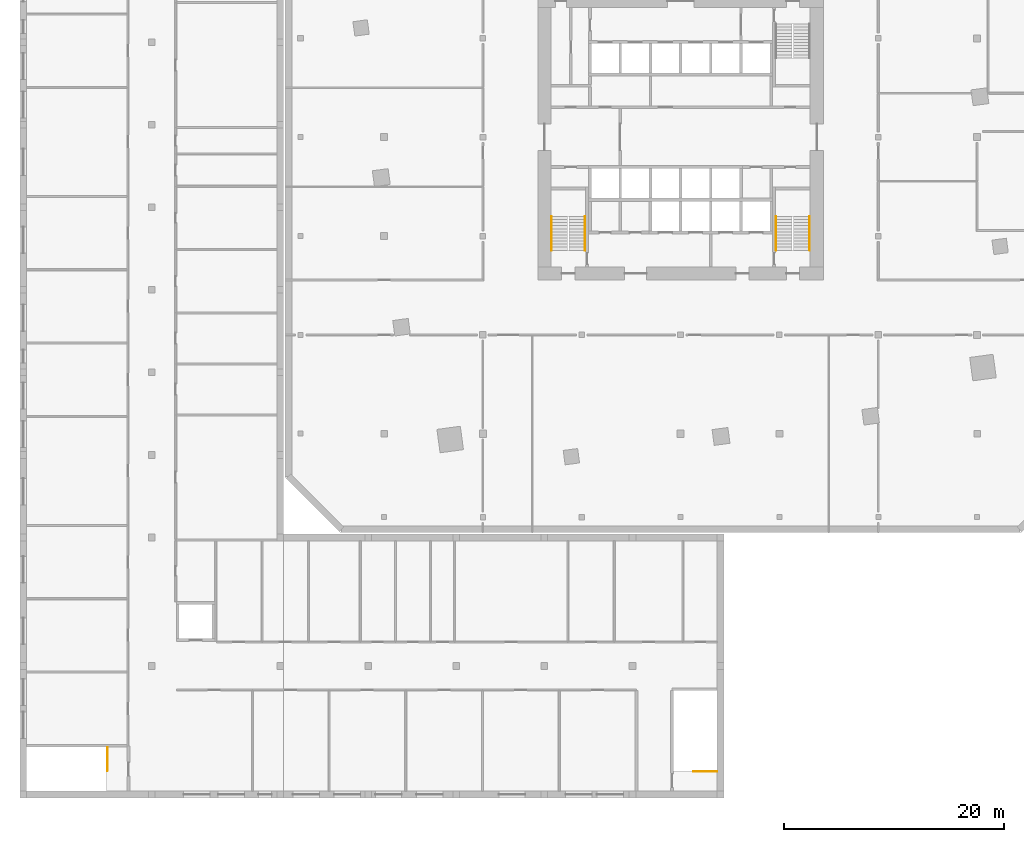
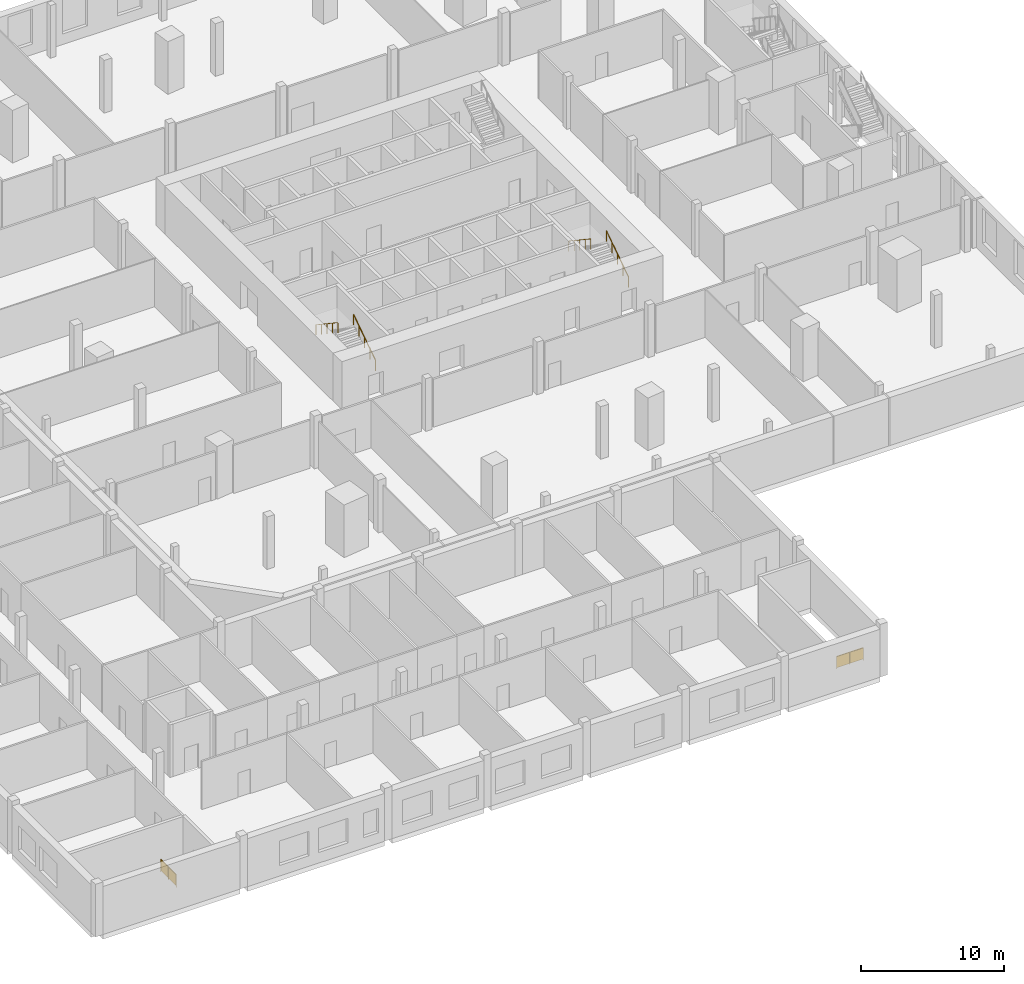
# One storey, part 15 of 18: 6 railings.
"""IFC4 building model written with IfcOpenShell, lengths in metres."""

from ifc_helpers import new_model, si_unit, direction, frame, origin, origin_2d, place, context, subcontext, project, spatial, rectangle, circle, extrude, material, type_object, element, save


model = new_model("IFC4")

# Units and contexts
model_context = context("Model", 3, precision=1e-05, world=origin(), true_north=direction((0.0, 1.0)))
body_context = subcontext(model_context, "Body", "Model", "MODEL_VIEW")
ifc_project = project(units=[si_unit("LENGTHUNIT", "METRE"), si_unit("AREAUNIT", "SQUARE_METRE"), si_unit("VOLUMEUNIT", "CUBIC_METRE"), si_unit("PLANEANGLEUNIT", "RADIAN"), si_unit("MASSUNIT", "GRAM", prefix="KILO")], contexts=[model_context])

# Site, building, storey
site_placement = place(None, origin())
site = spatial("IfcSite", under=ifc_project, at=site_placement, CompositionType="ELEMENT")
building_placement = place(site_placement, origin())
building = spatial("IfcBuilding", under=site, at=building_placement, Name="Dilmun Exchange Tower", CompositionType="ELEMENT")
storey_placement = place(building_placement, frame((0.0, 0.0, 13.5)))
storey = spatial("IfcBuildingStorey", under=building, at=storey_placement, Name="L03", CompositionType="ELEMENT", Elevation=13.5)

# Railings
ifc_material_1 = material(Name="Steel S355", Category="steel")
railing_type_1 = type_object("IfcRailingType", Name="School stair guard 1100", PredefinedType="GUARDRAIL", material=ifc_material_1)
railing_1_placement = place(storey_placement, frame((-52.199951171875, -55.550048828125, 0.0)))
element("IfcRailing", 1, at=railing_1_placement, inside=storey, type_object=railing_type_1, Name="L03 SCH-S2 top well guard 1", PredefinedType="GUARDRAIL", context=body_context, shape_type="SweptSolid", body=[
    extrude(circle(Radius=0.02392578125, at=origin_2d()), frame((0.0, 0.0, 1.076171875), z_axis=(0.0, -1.0, 0.0), x_axis=(1.0, 0.0, 0.0)), (0.0, 0.0, 1.0), 2.14990234375),
    extrude(rectangle(XDim=0.011962890625, YDim=0.951904296875, at=origin_2d()), frame((0.0, 0.0, 0.576171875), z_axis=(0.0, -1.0, 0.0), x_axis=(1.0, 0.0, 0.0)), (0.0, 0.0, 1.0), 2.14990234375),
    extrude(circle(Radius=0.02099609375, at=origin_2d()), origin(), (0.0, 0.0, 1.0), 1.052001953125),
    extrude(circle(Radius=0.02099609375, at=origin_2d()), frame((0.0, -1.074951171875, 0.0)), (0.0, 0.0, 1.0), 1.052001953125),
    extrude(circle(Radius=0.02099609375, at=origin_2d()), frame((0.0, -2.14990234375, 0.0)), (0.0, 0.0, 1.0), 1.052001953125),
])
railing_2_placement = place(storey_placement, frame((3.3330078125, -57.760009765625, 0.0)))
element("IfcRailing", 2, at=railing_2_placement, inside=storey, type_object=railing_type_1, Name="L03 SCH-S3 top well guard 1", PredefinedType="GUARDRAIL", context=body_context, shape_type="SweptSolid", body=[
    extrude(circle(Radius=0.02392578125, at=origin_2d()), frame((0.0, 0.0, 1.076171875), z_axis=(-1.0, 0.0, 0.0), x_axis=(0.0, -1.0, 0.0)), (0.0, 0.0, 1.0), 2.139892578125),
    extrude(rectangle(XDim=0.011962890625, YDim=0.951904296875, at=origin_2d()), frame((0.0, 0.0, 0.576171875), z_axis=(-1.0, 0.0, 0.0), x_axis=(0.0, -1.0, 0.0)), (0.0, 0.0, 1.0), 2.139892578125),
    extrude(circle(Radius=0.02099609375, at=origin_2d()), origin(), (0.0, 0.0, 1.0), 1.052001953125),
    extrude(circle(Radius=0.02099609375, at=origin_2d()), frame((-1.06982421875, 0.0, 0.0)), (0.0, 0.0, 1.0), 1.052001953125),
    extrude(circle(Radius=0.02099609375, at=origin_2d()), frame((-2.139892578125, 0.0, 0.0)), (0.0, 0.0, 1.0), 1.052001953125),
])
ifc_material_2 = material(Name="Stainless steel", Category="steel")
railing_type_2 = type_object("IfcRailingType", Name="Stair handrail 900", PredefinedType="HANDRAIL", material=ifc_material_2)
railing_3_placement = place(storey_placement, frame((-8.699951171875, -10.300048828125, 0.1875)))
element("IfcRailing", 3, at=railing_3_placement, inside=storey, type_object=railing_type_2, Name="L03 ST2 stair handrail 1", PredefinedType="HANDRAIL", context=body_context, shape_type="SweptSolid", body=[
    extrude(circle(Radius=0.02392578125, at=origin_2d()), frame((0.0, 0.0, 0.8759765625), z_axis=(0.0, 0.830913701846, 0.55640131208), x_axis=(-1.0, 0.0, 0.0)), (0.0, 0.0, 1.0), 3.706787109375),
    extrude(circle(Radius=0.02099609375, at=origin_2d()), origin(), (0.0, 0.0, 1.0), 0.851806640625),
    extrude(circle(Radius=0.02099609375, at=origin_2d()), frame((0.0, 0.77001953125, 0.515625)), (0.0, 0.0, 1.0), 0.851806640625),
    extrude(circle(Radius=0.02099609375, at=origin_2d()), frame((0.0, 1.5400390625, 1.03125)), (0.0, 0.0, 1.0), 0.851806640625),
    extrude(circle(Radius=0.02099609375, at=origin_2d()), frame((0.0, 2.31005859375, 1.546875)), (0.0, 0.0, 1.0), 0.851806640625),
    extrude(circle(Radius=0.02099609375, at=origin_2d()), frame((0.0, 3.080078125, 2.0625)), (0.0, 0.0, 1.0), 0.851806640625),
])
railing_4_placement = place(storey_placement, frame((-11.75, -7.219970703125, 2.4375)))
element("IfcRailing", 4, at=railing_4_placement, inside=storey, type_object=railing_type_2, Name="L03 ST2 stair handrail 2", PredefinedType="HANDRAIL", context=body_context, shape_type="SweptSolid", body=[
    extrude(circle(Radius=0.02392578125, at=origin_2d()), frame((0.0, 0.0, 0.8759765625), z_axis=(0.0, -0.830913701846, 0.55640131208), x_axis=(1.0, 0.0, 0.0)), (0.0, 0.0, 1.0), 3.706787109375),
    extrude(circle(Radius=0.02099609375, at=origin_2d()), origin(), (0.0, 0.0, 1.0), 0.851806640625),
    extrude(circle(Radius=0.02099609375, at=origin_2d()), frame((0.0, -0.77001953125, 0.515625)), (0.0, 0.0, 1.0), 0.851806640625),
    extrude(circle(Radius=0.02099609375, at=origin_2d()), frame((0.0, -1.5400390625, 1.03125)), (0.0, 0.0, 1.0), 0.851806640625),
    extrude(circle(Radius=0.02099609375, at=origin_2d()), frame((0.0, -2.31005859375, 1.546875)), (0.0, 0.0, 1.0), 0.851806640625),
    extrude(circle(Radius=0.02099609375, at=origin_2d()), frame((0.0, -3.080078125, 2.0625)), (0.0, 0.0, 1.0), 0.851806640625),
])
railing_5_placement = place(storey_placement, frame((11.75, -10.300048828125, 0.1875)))
element("IfcRailing", 5, at=railing_5_placement, inside=storey, type_object=railing_type_2, Name="L03 ST3 stair handrail 1", PredefinedType="HANDRAIL", context=body_context, shape_type="SweptSolid", body=[
    extrude(circle(Radius=0.02392578125, at=origin_2d()), frame((0.0, 0.0, 0.8759765625), z_axis=(0.0, 0.830913701846, 0.55640131208), x_axis=(-1.0, 0.0, 0.0)), (0.0, 0.0, 1.0), 3.706787109375),
    extrude(circle(Radius=0.02099609375, at=origin_2d()), origin(), (0.0, 0.0, 1.0), 0.851806640625),
    extrude(circle(Radius=0.02099609375, at=origin_2d()), frame((0.0, 0.77001953125, 0.515625)), (0.0, 0.0, 1.0), 0.851806640625),
    extrude(circle(Radius=0.02099609375, at=origin_2d()), frame((0.0, 1.5400390625, 1.03125)), (0.0, 0.0, 1.0), 0.851806640625),
    extrude(circle(Radius=0.02099609375, at=origin_2d()), frame((0.0, 2.31005859375, 1.546875)), (0.0, 0.0, 1.0), 0.851806640625),
    extrude(circle(Radius=0.02099609375, at=origin_2d()), frame((0.0, 3.080078125, 2.0625)), (0.0, 0.0, 1.0), 0.851806640625),
])
railing_6_placement = place(storey_placement, frame((8.699951171875, -7.219970703125, 2.4375)))
element("IfcRailing", 6, at=railing_6_placement, inside=storey, type_object=railing_type_2, Name="L03 ST3 stair handrail 2", PredefinedType="HANDRAIL", context=body_context, shape_type="SweptSolid", body=[
    extrude(circle(Radius=0.02392578125, at=origin_2d()), frame((0.0, 0.0, 0.8759765625), z_axis=(0.0, -0.830913701846, 0.55640131208), x_axis=(1.0, 0.0, 0.0)), (0.0, 0.0, 1.0), 3.706787109375),
    extrude(circle(Radius=0.02099609375, at=origin_2d()), origin(), (0.0, 0.0, 1.0), 0.851806640625),
    extrude(circle(Radius=0.02099609375, at=origin_2d()), frame((0.0, -0.77001953125, 0.515625)), (0.0, 0.0, 1.0), 0.851806640625),
    extrude(circle(Radius=0.02099609375, at=origin_2d()), frame((0.0, -1.5400390625, 1.03125)), (0.0, 0.0, 1.0), 0.851806640625),
    extrude(circle(Radius=0.02099609375, at=origin_2d()), frame((0.0, -2.31005859375, 1.546875)), (0.0, 0.0, 1.0), 0.851806640625),
    extrude(circle(Radius=0.02099609375, at=origin_2d()), frame((0.0, -3.080078125, 2.0625)), (0.0, 0.0, 1.0), 0.851806640625),
])

save(model, "model.ifc")
